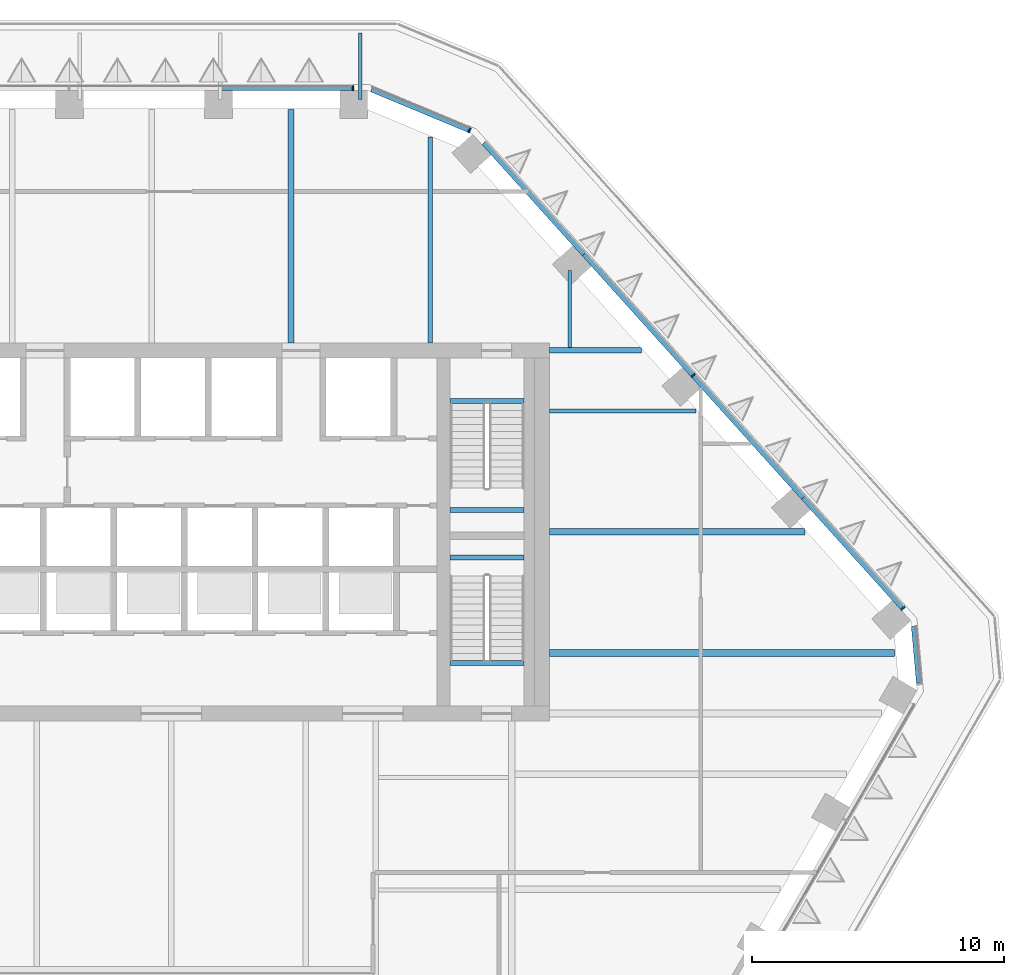
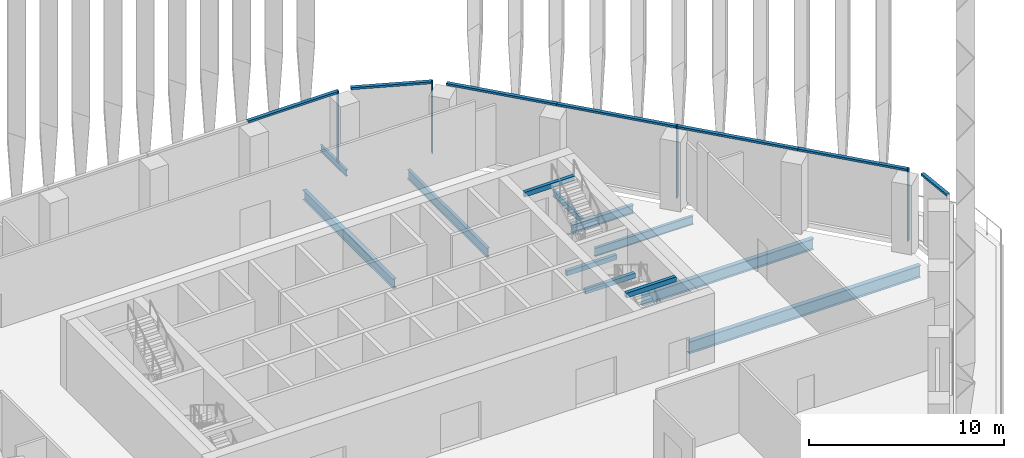
# One storey, part 7 of 21: 12 beams, 11 members, 4 elements without a shape of their own.
"""IFC4 building model written with IfcOpenShell, lengths in metres."""

import ifcopenshell
import ifcopenshell.guid

model = None  # the IFC model being written
_history = None  # IfcOwnerHistory: only IFC2X3 demands one
_inside = {}  # id of a spatial element -> (the spatial element, [elements in it])
_under = {}  # id of a project, library or spatial element -> (it, [spatial elements below it])
_declared = {}  # id of a project -> (the project, [libraries it declares])
_typed = {}  # id of a type object -> (the type object, [elements of that type])
_made_of = {}  # id of a material, layer set ... -> (it, [elements and type objects made of it])


def new_model(schema):
    """Start an empty IFC model of exactly this schema.

    Asked for "IFC4X3", IfcOpenShell would pick the latest addendum, in which some entities
    have other attributes; the version numbers below select the first issue.
    IFC2X3 requires an IfcOwnerHistory on every rooted entity: one is made here for all.
    """
    global model, _history
    if schema == "IFC4X3":
        model = ifcopenshell.file(schema_version=(4, 3, 0, 0))
    else:
        model = ifcopenshell.file(schema=schema)
    _inside.clear()
    _under.clear()
    _declared.clear()
    _typed.clear()
    _made_of.clear()
    _history = None
    if model.schema == "IFC2X3":
        org = make("IfcOrganization", Name="unknown")
        user = make(
            "IfcPersonAndOrganization",
            ThePerson=make("IfcPerson", FamilyName="unknown"),
            TheOrganization=org,
        )
        app = make(
            "IfcApplication",
            ApplicationDeveloper=org,
            Version="unknown",
            ApplicationFullName="unknown",
            ApplicationIdentifier="unknown",
        )
        _history = make(
            "IfcOwnerHistory",
            OwningUser=user,
            OwningApplication=app,
            ChangeAction="ADDED",
            CreationDate=0,
        )
    return model


def make(cls, **values):
    """One entity of the class cls with the attributes given. An attribute that is None is left unset."""
    return model.create_entity(
        cls, **{name: value for name, value in values.items() if value is not None}
    )


def rooted(cls, **values):
    """An entity with a GlobalId (a new one), such as an element, a storey or a relation."""
    return make(cls, GlobalId=ifcopenshell.guid.new(), OwnerHistory=_history, **values)


def si_unit(unit_type, name, prefix=None):
    """IfcSIUnit, for example si_unit("LENGTHUNIT", "METRE", prefix="MILLI")."""
    return make("IfcSIUnit", UnitType=unit_type, Prefix=prefix, Name=name)


def assignment(units):
    """IfcUnitAssignment: the units of a project."""
    return None if units is None else make("IfcUnitAssignment", Units=units)


def point(xyz):
    """IfcCartesianPoint."""
    return None if xyz is None else make("IfcCartesianPoint", Coordinates=xyz)


def direction(xyz):
    """IfcDirection."""
    return None if xyz is None else make("IfcDirection", DirectionRatios=xyz)


def frame(location, z_axis=None, x_axis=None):
    """IfcAxis2Placement3D, a coordinate frame: its origin and axes. An axis left out is left unset."""
    return make(
        "IfcAxis2Placement3D",
        Location=point(location),
        Axis=direction(z_axis),
        RefDirection=direction(x_axis),
    )


def frame_2d(location, x_axis=None):
    """IfcAxis2Placement2D, a coordinate frame in the plane: its origin and x axis."""
    return make(
        "IfcAxis2Placement2D", Location=point(location), RefDirection=direction(x_axis)
    )


def origin():
    """The frame at (0, 0, 0) with its axes left unset."""
    return frame((0.0, 0.0, 0.0))


def origin_2d():
    """The frame at (0, 0) in the plane with its x axis left unset."""
    return frame_2d((0.0, 0.0))


def place(relative_to, where):
    """IfcLocalPlacement: puts the frame where relative to a parent placement (None: the world)."""
    return make(
        "IfcLocalPlacement", PlacementRelTo=relative_to, RelativePlacement=where
    )


def context(
    kind, dimensions, precision=None, world=None, true_north=None, identifier=None
):
    """IfcGeometricRepresentationContext, for example the 3D "Model" context."""
    return make(
        "IfcGeometricRepresentationContext",
        ContextIdentifier=identifier,
        ContextType=kind,
        CoordinateSpaceDimension=dimensions,
        Precision=precision,
        WorldCoordinateSystem=world,
        TrueNorth=true_north,
    )


def subcontext(parent, identifier, kind, view, scale=None):
    """IfcGeometricRepresentationSubContext, for example "Body" below "Model"."""
    return make(
        "IfcGeometricRepresentationSubContext",
        ContextIdentifier=identifier,
        ContextType=kind,
        ParentContext=parent,
        TargetScale=scale,
        TargetView=view,
    )


def project(units=None, contexts=None):
    """IfcProject with its units and contexts."""
    return rooted(
        "IfcProject",
        Name="project",
        RepresentationContexts=contexts,
        UnitsInContext=assignment(units),
    )


def spatial(cls, under=None, at=None, **own):
    """A site, building, storey or space (cls), placed at a placement, below another one or the project."""
    s = rooted(cls, ObjectPlacement=at, **own)
    if under is not None:
        _under.setdefault(under.id(), (under, []))[1].append(s)
    return s


def profile(cls, at=None, kind="AREA", **sizes):
    """A parametric profile (cls). Its sizes go by their IFC names, for example OverallWidth=200.0."""
    return make(cls, ProfileType=kind, Position=at, **sizes)


def rectangle(**sizes):
    """IfcRectangleProfileDef."""
    return profile("IfcRectangleProfileDef", **sizes)


def i_section(**sizes):
    """IfcIShapeProfileDef."""
    return profile("IfcIShapeProfileDef", **sizes)


def extrude(swept, where, along, depth):
    """IfcExtrudedAreaSolid: the profile swept, set in the frame where, extruded along a direction by depth."""
    return make(
        "IfcExtrudedAreaSolid",
        SweptArea=swept,
        Position=where,
        ExtrudedDirection=direction(along),
        Depth=depth,
    )


def shape(context_of_items, identifier, shape_type, items):
    """IfcShapeRepresentation: the items that make up one representation, for example the "Body"."""
    return make(
        "IfcShapeRepresentation",
        ContextOfItems=context_of_items,
        RepresentationIdentifier=identifier,
        RepresentationType=shape_type,
        Items=items,
    )


def material(Name=None, Category=None):
    """IfcMaterial."""
    return make("IfcMaterial", Name=Name, Category=Category)


def layer(
    of_material, thickness, ventilated=None, Name=None, Category=None, Priority=None
):
    """IfcMaterialLayer: one layer of a wall or slab, of a material (None: an air gap)."""
    return make(
        "IfcMaterialLayer",
        Material=of_material,
        LayerThickness=thickness,
        IsVentilated=ventilated,
        Name=Name,
        Category=Category,
        Priority=Priority,
    )


def layer_set(layers, Name=None):
    """IfcMaterialLayerSet."""
    return make("IfcMaterialLayerSet", MaterialLayers=layers, LayerSetName=Name)


def material_profile(
    of_material, cross_section, Name=None, Category=None, Priority=None
):
    """IfcMaterialProfile: a cross section and its material."""
    return make(
        "IfcMaterialProfile",
        Name=Name,
        Material=of_material,
        Profile=cross_section,
        Priority=Priority,
        Category=Category,
    )


def profile_set(profiles, Name=None, composite=None):
    """IfcMaterialProfileSet."""
    return make(
        "IfcMaterialProfileSet",
        Name=Name,
        MaterialProfiles=profiles,
        CompositeProfile=composite,
    )


def made_of(thing, what):
    """Note that an element or type object is made of a material, layer set ...; save() writes the relation."""
    if what is not None:
        _made_of.setdefault(what.id(), (what, []))[1].append(thing)
    return thing


def type_object(cls, material=None, **own):
    """A type object (cls), such as IfcWallType, which elements share."""
    return made_of(rooted(cls, **own), material)


def element(
    cls,
    number,
    at=None,
    inside=None,
    cuts=None,
    type_object=None,
    material=None,
    context=None,
    identifier="Body",
    shape_type=None,
    held_by="IfcProductDefinitionShape",
    body=None,
    shapes=None,
    **own,
):
    """One element of the class cls, such as IfcWall. Its Tag is "e" and its number.

    at: its placement. inside: the storey or other place that contains it. cuts: it is an
    opening in that element (IfcRelVoidsElement). A single representation is given by context,
    identifier, shape_type and body (its items); several are given by shapes. held_by: the class
    of the entity that holds the representations. save() writes the other relations.
    """
    e = rooted(cls, Tag="e%d" % number, ObjectPlacement=at, **own)
    if body is not None:
        shapes = [shape(context, identifier, shape_type, body)]
    if shapes is not None:
        e.Representation = make(held_by, Representations=shapes)
    if inside is not None:
        _inside.setdefault(inside.id(), (inside, []))[1].append(e)
    if cuts is not None:
        rooted(
            "IfcRelVoidsElement", RelatingBuildingElement=cuts, RelatedOpeningElement=e
        )
    if type_object is not None:
        _typed.setdefault(type_object.id(), (type_object, []))[1].append(e)
    return made_of(e, material)


def aggregate(whole, parts):
    """IfcRelAggregates: a whole, such as a stair, and the parts it consists of."""
    return rooted("IfcRelAggregates", RelatingObject=whole, RelatedObjects=parts)


def save(model, path):
    """Write the relations noted so far, then the file.

    IfcRelAggregates (storeys below a building ...), IfcRelContainedInSpatialStructure (elements
    in a storey), IfcRelDefinesByType, IfcRelAssociatesMaterial and IfcRelDeclares: one each for
    every whole, place, type object, material and project.
    """
    for whole, parts in _under.values():
        aggregate(whole, parts)
    for where, things in _inside.values():
        rooted(
            "IfcRelContainedInSpatialStructure",
            RelatedElements=things,
            RelatingStructure=where,
        )
    for kind, things in _typed.values():
        rooted("IfcRelDefinesByType", RelatedObjects=things, RelatingType=kind)
    for what, things in _made_of.values():
        rooted("IfcRelAssociatesMaterial", RelatedObjects=things, RelatingMaterial=what)
    for by, libraries in _declared.values():
        rooted("IfcRelDeclares", RelatingContext=by, RelatedDefinitions=libraries)
    model.write(path)


model = new_model("IFC4")

# Units and contexts
model_context = context("Model", 3, precision=1e-05, world=origin(), true_north=direction((0.0, 1.0)))
body_context = subcontext(model_context, "Body", "Model", "MODEL_VIEW")
ifc_project = project(units=[si_unit("LENGTHUNIT", "METRE"), si_unit("AREAUNIT", "SQUARE_METRE"), si_unit("VOLUMEUNIT", "CUBIC_METRE"), si_unit("PLANEANGLEUNIT", "RADIAN"), si_unit("MASSUNIT", "GRAM", prefix="KILO")], contexts=[model_context])

# Site, building, storey
site_placement = place(None, origin())
site = spatial("IfcSite", under=ifc_project, at=site_placement, CompositionType="ELEMENT")
building_placement = place(site_placement, origin())
building = spatial("IfcBuilding", under=site, at=building_placement, Name="Isthmus Gate Tower", CompositionType="ELEMENT")
storey_placement = place(building_placement, frame((0.0, 0.0, 211.800048828125)))
storey = spatial("IfcBuildingStorey", under=building, at=storey_placement, Name="L53", CompositionType="ELEMENT", Elevation=211.800048828125)

# Curtain wall, member
ifc_material_1 = material(Name="Aluminium, pale champagne anodised", Category="aluminium")
ifc_layer = layer(ifc_material_1, 0.199951171875)
ifc_layer_set = layer_set([ifc_layer], Name="CW-1 UNITISED CURTAIN WALL 200 DEEP")
curtain_wall_type = type_object("IfcCurtainWallType", Name="CW-1 UNITISED CURTAIN WALL 200 DEEP", PredefinedType="NOTDEFINED", material=ifc_layer_set)
curtain_wall_1_placement = place(storey_placement, origin())
curtain_wall_1 = element("IfcCurtainWall", 1, at=curtain_wall_1_placement, inside=storey, type_object=curtain_wall_type, Name="CW-1 N L53", PredefinedType="NOTDEFINED")
ifc_material_2 = material(Name="Aluminium, pale champagne anodised", Category="aluminium")
ifc_material_profile_1 = material_profile(ifc_material_2, rectangle(XDim=0.06005859375, YDim=0.199951171875, at=origin_2d()), Name="60x200")
ifc_profile_set_1 = profile_set([ifc_material_profile_1], Name="Aluminium, pale champagne anodised")
member_type_1 = type_object("IfcMemberType", Name="CW-1 MULLION 60 X 200", PredefinedType="MULLION", material=ifc_profile_set_1)
member_1_placement = place(storey_placement, frame((7.211181640625, 25.10009765625, 0.0), z_axis=(0.0, 0.0, 1.0), x_axis=(-1.0, 0.0, 0.0)))
member_1 = element("IfcMember", 2, at=member_1_placement, type_object=member_type_1, Name="CW-1 mullion", PredefinedType="MULLION", context=body_context, shape_type="SweptSolid", body=[
    extrude(rectangle(XDim=0.06005859375, YDim=0.199951171875, at=origin_2d()), origin(), (0.0, 0.0, 1.0), 4.5),
])

# Curtain wall, members
curtain_wall_2_placement = place(storey_placement, origin())
curtain_wall_2 = element("IfcCurtainWall", 3, at=curtain_wall_2_placement, inside=storey, type_object=curtain_wall_type, Name="CW-1 NE L53", PredefinedType="NOTDEFINED")
member_2_placement = place(storey_placement, frame((29.016357421875, 4.46923828125, 0.0), z_axis=(0.0, 0.0, 1.0), x_axis=(-0.669130606359, 0.743144825477, 0.0)))
member_2 = element("IfcMember", 4, at=member_2_placement, type_object=member_type_1, Name="CW-1 mullion", PredefinedType="MULLION", context=body_context, shape_type="SweptSolid", body=[
    extrude(rectangle(XDim=0.06005859375, YDim=0.199951171875, at=origin_2d()), origin(), (0.0, 0.0, 1.0), 4.5),
])
member_3_placement = place(storey_placement, frame((20.696533203125, 13.709228515625, 0.0), z_axis=(0.0, 0.0, 1.0), x_axis=(-0.669130606359, 0.743144825477, 0.0)))
member_3 = element("IfcMember", 5, at=member_3_placement, type_object=member_type_1, Name="CW-1 mullion", PredefinedType="MULLION", context=body_context, shape_type="SweptSolid", body=[
    extrude(rectangle(XDim=0.06005859375, YDim=0.199951171875, at=origin_2d()), origin(), (0.0, 0.0, 1.0), 4.5),
])

# Curtain wall, member
curtain_wall_3_placement = place(storey_placement, origin())
curtain_wall_3 = element("IfcCurtainWall", 6, at=curtain_wall_3_placement, inside=storey, type_object=curtain_wall_type, Name="CW-1 NE-N L53", PredefinedType="NOTDEFINED")
member_4_placement = place(storey_placement, frame((11.83349609375, 23.427490234375, 0.0), z_axis=(0.0, 0.0, 1.0), x_axis=(-0.923353128387, 0.383951820282, 0.0)))
member_4 = element("IfcMember", 7, at=member_4_placement, type_object=member_type_1, Name="CW-1 mullion", PredefinedType="MULLION", context=body_context, shape_type="SweptSolid", body=[
    extrude(rectangle(XDim=0.06005859375, YDim=0.199951171875, at=origin_2d()), origin(), (0.0, 0.0, 1.0), 4.5),
])

# Member
ifc_material_3 = material(Name="Aluminium, pale champagne anodised", Category="aluminium")
ifc_material_profile_2 = material_profile(ifc_material_3, rectangle(XDim=0.199951171875, YDim=0.1298828125, at=origin_2d()), Name="200x130")
ifc_profile_set_2 = profile_set([ifc_material_profile_2], Name="Aluminium, pale champagne anodised")
member_type_2 = type_object("IfcMemberType", Name="CW-1 TRANSOM 200 X 130", PredefinedType="USERDEFINED", material=ifc_profile_set_2)
member_5_placement = place(storey_placement, frame((7.18115234375, 25.10009765625, 4.43505859375), z_axis=(-1.0, 0.0, 0.0), x_axis=(0.0, -1.0, 0.0)))
member_5 = element("IfcMember", 8, at=member_5_placement, type_object=member_type_2, Name="CW-1 transom", ObjectType="TRANSOM", PredefinedType="USERDEFINED", context=body_context, shape_type="SweptSolid", body=[
    extrude(rectangle(XDim=0.199951171875, YDim=0.1298828125, at=origin_2d()), origin(), (0.0, 0.0, 1.0), 5.300537109375),
])

aggregate(curtain_wall_1, [member_1, member_5])

# Curtain wall, member
curtain_wall_4_placement = place(storey_placement, origin())
curtain_wall_4 = element("IfcCurtainWall", 9, at=curtain_wall_4_placement, inside=storey, type_object=curtain_wall_type, Name="CW-1 SE-NE L53", PredefinedType="NOTDEFINED")
member_6_placement = place(storey_placement, frame((29.651611328125, 1.506591796875, 4.43505859375), z_axis=(-0.089395362867, 0.995996219419, 0.0), x_axis=(-0.995996219419, -0.089395362867, 0.0)))
member_6 = element("IfcMember", 10, at=member_6_placement, type_object=member_type_2, Name="CW-1 transom", ObjectType="TRANSOM", PredefinedType="USERDEFINED", context=body_context, shape_type="SweptSolid", body=[
    extrude(rectangle(XDim=0.199951171875, YDim=0.1298828125, at=origin_2d()), origin(), (0.0, 0.0, 1.0), 2.258544921875),
])
aggregate(curtain_wall_4, [member_6])

# Member
member_7_placement = place(storey_placement, frame((28.99609375, 4.491455078125, 4.43505859375), z_axis=(-0.669134411332, 0.743141399447, 0.0), x_axis=(-0.743141399447, -0.669134411332, 0.0)))
member_7 = element("IfcMember", 11, at=member_7_placement, type_object=member_type_2, Name="CW-1 transom", ObjectType="TRANSOM", PredefinedType="USERDEFINED", context=body_context, shape_type="SweptSolid", body=[
    extrude(rectangle(XDim=0.199951171875, YDim=0.1298828125, at=origin_2d()), origin(), (0.0, 0.0, 1.0), 5.8818359375),
])

member_8_placement = place(storey_placement, frame((25.060302734375, 8.862548828125, 4.43505859375), z_axis=(-0.669112239491, 0.743161362668, 0.0), x_axis=(-0.743161362668, -0.669112239491, 0.0)))
member_8 = element("IfcMember", 12, at=member_8_placement, type_object=member_type_2, Name="CW-1 transom", ObjectType="TRANSOM", PredefinedType="USERDEFINED", context=body_context, shape_type="SweptSolid", body=[
    extrude(rectangle(XDim=0.199951171875, YDim=0.1298828125, at=origin_2d()), origin(), (0.0, 0.0, 1.0), 6.49169921875),
])

member_9_placement = place(storey_placement, frame((20.67626953125, 13.7314453125, 4.43505859375), z_axis=(-0.669128292476, 0.7431469089, 0.0), x_axis=(-0.7431469089, -0.669128292476, 0.0)))
member_9 = element("IfcMember", 13, at=member_9_placement, type_object=member_type_2, Name="CW-1 transom", ObjectType="TRANSOM", PredefinedType="USERDEFINED", context=body_context, shape_type="SweptSolid", body=[
    extrude(rectangle(XDim=0.199951171875, YDim=0.1298828125, at=origin_2d()), origin(), (0.0, 0.0, 1.0), 6.431884765625),
])

member_10_placement = place(storey_placement, frame((16.37255859375, 18.51123046875, 4.43505859375), z_axis=(-0.669116811031, 0.743157246615, 0.0), x_axis=(-0.743157246615, -0.669116811031, 0.0)))
member_10 = element("IfcMember", 14, at=member_10_placement, type_object=member_type_2, Name="CW-1 transom", ObjectType="TRANSOM", PredefinedType="USERDEFINED", context=body_context, shape_type="SweptSolid", body=[
    extrude(rectangle(XDim=0.199951171875, YDim=0.1298828125, at=origin_2d()), origin(), (0.0, 0.0, 1.0), 5.94189453125),
])

aggregate(curtain_wall_2, [member_2, member_7, member_8, member_3, member_9, member_10])

member_11_placement = place(storey_placement, frame((11.8056640625, 23.43896484375, 4.43505859375), z_axis=(-0.923358236369, 0.383939536033, 0.0), x_axis=(-0.383939536033, -0.923358236369, 0.0)))
member_11 = element("IfcMember", 15, at=member_11_placement, type_object=member_type_2, Name="CW-1 transom", ObjectType="TRANSOM", PredefinedType="USERDEFINED", context=body_context, shape_type="SweptSolid", body=[
    extrude(rectangle(XDim=0.199951171875, YDim=0.1298828125, at=origin_2d()), origin(), (0.0, 0.0, 1.0), 4.181640625),
])

aggregate(curtain_wall_3, [member_4, member_11])

# Beams
ifc_material_4 = material(Name="Concrete f'c 40 MPa", Category="concrete")
ifc_material_profile_3 = material_profile(ifc_material_4, rectangle(XDim=0.199951171875, YDim=0.300048828125, at=origin_2d()), Name="STAIR LANDING BEAM RC 200 X 300")
ifc_profile_set_3 = profile_set([ifc_material_profile_3], Name="Concrete f'c 40 MPa")
beam_type_1 = type_object("IfcBeamType", Name="STAIR LANDING BEAM RC 200 X 300", PredefinedType="BEAM", material=ifc_profile_set_3)
for number, where, z_axis, x_axis, name in (
    (16, (11.050048828125, 8.3701171875, 1.89990234375), (1.0, 0.0, 0.0), (0.0, 1.0, 0.0), "L53 ST2 landing beam 1"),
    (17, (11.050048828125, 12.7001953125, 4.199951171875), (1.0, 0.0, 0.0), (0.0, 1.0, 0.0), "L53 ST2 floor-edge seat beam"),
    (18, (11.050048828125, 6.47998046875, 1.89990234375), (1.0, 0.0, 0.0), (0.0, 1.0, 0.0), "L53 ST8 landing beam 1"),
    (19, (11.050048828125, 2.2998046875, 4.199951171875), (1.0, 0.0, 0.0), (0.0, 1.0, 0.0), "L53 ST8 floor-edge seat beam"),
):
    element("IfcBeam", number, at=place(storey_placement, frame(where, z_axis=z_axis, x_axis=x_axis)), inside=storey, type_object=beam_type_1, Name=name, PredefinedType="BEAM", context=body_context, shape_type="SweptSolid", body=[
        extrude(rectangle(XDim=0.199951171875, YDim=0.300048828125, at=origin_2d()), origin(), (0.0, 0.0, 1.0), 2.949951171875),
    ])
ifc_material_5 = material(Name="Structural steel ASTM A992 Gr 50", Category="steel")
ifc_material_profile_4 = material_profile(ifc_material_5, i_section(OverallWidth=0.1396484375, OverallDepth=0.4033203125, WebThickness=0.00634765625, FlangeThickness=0.010986328125, at=origin_2d()), Name="W16X31")
ifc_profile_set_4 = profile_set([ifc_material_profile_4], Name="Structural steel ASTM A992 Gr 50")
beam_type_2 = type_object("IfcBeamType", Name="STEEL FLOOR BEAM W16X31", PredefinedType="JOIST", material=ifc_profile_set_4)
beam_1_placement = place(storey_placement, frame((15.799560546875, 14.8046875, -0.501708984375), z_axis=(0.0, 1.0, 0.0), x_axis=(-1.0, 0.0, 0.0)))
element("IfcBeam", 20, at=beam_1_placement, inside=storey, type_object=beam_type_2, Name="str-beam-L53-05-06", PredefinedType="JOIST", context=body_context, shape_type="SweptSolid", body=[
    extrude(i_section(OverallWidth=0.1396484375, OverallDepth=0.4033203125, WebThickness=0.00634765625, FlangeThickness=0.010986328125, at=origin_2d()), origin(), (0.0, 0.0, 1.0), 3.06787109375),
])
ifc_material_6 = material(Name="Structural steel ASTM A992 Gr 50", Category="steel")
ifc_material_profile_5 = material_profile(ifc_material_6, i_section(OverallWidth=0.1650390625, OverallDepth=0.52392578125, WebThickness=0.009521484375, FlangeThickness=0.010986328125, at=origin_2d()), Name="W21X44")
ifc_profile_set_5 = profile_set([ifc_material_profile_5], Name="Structural steel ASTM A992 Gr 50")
beam_type_3 = type_object("IfcBeamType", Name="STEEL FLOOR BEAM W21X44", PredefinedType="JOIST", material=ifc_profile_set_5)
beam_2_placement = place(storey_placement, frame((15.0, 12.300048828125, -0.56201171875), z_axis=(1.0, 0.0, 0.0), x_axis=(0.0, 1.0, 0.0)))
element("IfcBeam", 21, at=beam_2_placement, inside=storey, type_object=beam_type_3, Name="str-beam-L53-13-02", PredefinedType="JOIST", context=body_context, shape_type="SweptSolid", body=[
    extrude(i_section(OverallWidth=0.1650390625, OverallDepth=0.52392578125, WebThickness=0.009521484375, FlangeThickness=0.010986328125, at=origin_2d()), origin(), (0.0, 0.0, 1.0), 5.817138671875),
])
ifc_material_7 = material(Name="Structural steel ASTM A992 Gr 50", Category="steel")
ifc_material_profile_6 = material_profile(ifc_material_7, i_section(OverallWidth=0.177734375, OverallDepth=0.60009765625, WebThickness=0.009521484375, FlangeThickness=0.0126953125, at=origin_2d()), Name="W24X55")
ifc_profile_set_6 = profile_set([ifc_material_profile_6], Name="Structural steel ASTM A992 Gr 50")
beam_type_4 = type_object("IfcBeamType", Name="STEEL FLOOR BEAM W24X55", PredefinedType="JOIST", material=ifc_profile_set_6)
beam_3_placement = place(storey_placement, frame((10.275146484375, 15.0, -0.60009765625), z_axis=(0.0, 1.0, 0.0), x_axis=(-1.0, 0.0, 0.0)))
element("IfcBeam", 22, at=beam_3_placement, inside=storey, type_object=beam_type_4, Name="str-beam-L53-05-05", PredefinedType="JOIST", context=body_context, shape_type="SweptSolid", body=[
    extrude(i_section(OverallWidth=0.177734375, OverallDepth=0.60009765625, WebThickness=0.009521484375, FlangeThickness=0.0126953125, at=origin_2d()), origin(), (0.0, 0.0, 1.0), 8.1513671875),
])
ifc_material_8 = material(Name="Structural steel ASTM A992 Gr 50", Category="steel")
ifc_material_profile_7 = material_profile(ifc_material_8, i_section(OverallWidth=0.228515625, OverallDepth=0.603271484375, WebThickness=0.010986328125, FlangeThickness=0.014404296875, at=origin_2d()), Name="W24X68")
ifc_profile_set_7 = profile_set([ifc_material_profile_7], Name="Structural steel ASTM A992 Gr 50")
beam_type_5 = type_object("IfcBeamType", Name="STEEL FLOOR BEAM W24X68", PredefinedType="JOIST", material=ifc_profile_set_7)
beam_4_placement = place(storey_placement, frame((4.75048828125, 15.0, -0.6015625), z_axis=(0.0, 1.0, 0.0), x_axis=(-1.0, 0.0, 0.0)))
element("IfcBeam", 23, at=beam_4_placement, inside=storey, type_object=beam_type_5, Name="str-beam-L53-05-04", PredefinedType="JOIST", context=body_context, shape_type="SweptSolid", body=[
    extrude(i_section(OverallWidth=0.228515625, OverallDepth=0.603271484375, WebThickness=0.010986328125, FlangeThickness=0.014404296875, at=origin_2d()), origin(), (0.0, 0.0, 1.0), 9.246826171875),
])
ifc_material_9 = material(Name="Structural steel ASTM A992 Gr 50", Category="steel")
ifc_material_profile_8 = material_profile(ifc_material_9, i_section(OverallWidth=0.25390625, OverallDepth=0.679443359375, WebThickness=0.010986328125, FlangeThickness=0.015869140625, at=origin_2d()), Name="W27X84")
ifc_profile_set_8 = profile_set([ifc_material_profile_8], Name="Structural steel ASTM A992 Gr 50")
beam_type_6 = type_object("IfcBeamType", Name="STEEL FLOOR BEAM W27X84", PredefinedType="JOIST", material=ifc_profile_set_8)
beam_5_placement = place(storey_placement, frame((15.0, 7.5, -0.6396484375), z_axis=(1.0, 0.0, 0.0), x_axis=(0.0, 1.0, 0.0)))
element("IfcBeam", 24, at=beam_5_placement, inside=storey, type_object=beam_type_6, Name="str-beam-L53-13-01", PredefinedType="JOIST", context=body_context, shape_type="SweptSolid", body=[
    extrude(i_section(OverallWidth=0.25390625, OverallDepth=0.679443359375, WebThickness=0.010986328125, FlangeThickness=0.015869140625, at=origin_2d()), origin(), (0.0, 0.0, 1.0), 10.13916015625),
])
ifc_material_10 = material(Name="Structural steel ASTM A992 Gr 50", Category="steel")
ifc_material_profile_9 = material_profile(ifc_material_10, i_section(OverallWidth=0.263427734375, OverallDepth=0.749267578125, WebThickness=0.0126953125, FlangeThickness=0.015869140625, at=origin_2d()), Name="W30X90")
ifc_profile_set_9 = profile_set([ifc_material_profile_9], Name="Structural steel ASTM A992 Gr 50")
beam_type_7 = type_object("IfcBeamType", Name="STEEL FLOOR BEAM W30X90", PredefinedType="JOIST", material=ifc_profile_set_9)
beam_6_placement = place(storey_placement, frame((15.0, 2.699951171875, -0.6748046875), z_axis=(1.0, 0.0, 0.0), x_axis=(0.0, 1.0, 0.0)))
element("IfcBeam", 25, at=beam_6_placement, inside=storey, type_object=beam_type_7, Name="str-beam-L53-13-00", PredefinedType="JOIST", context=body_context, shape_type="SweptSolid", body=[
    extrude(i_section(OverallWidth=0.263427734375, OverallDepth=0.749267578125, WebThickness=0.0126953125, FlangeThickness=0.015869140625, at=origin_2d()), origin(), (0.0, 0.0, 1.0), 13.68798828125),
])
ifc_material_11 = material(Name="Structural steel ASTM A992 Gr 50", Category="steel")
ifc_material_profile_10 = material_profile(ifc_material_11, i_section(OverallWidth=0.20947265625, OverallDepth=0.533447265625, WebThickness=0.009521484375, FlangeThickness=0.015869140625, at=origin_2d()), Name="W21X62")
ifc_profile_set_10 = profile_set([ifc_material_profile_10], Name="Structural steel ASTM A992 Gr 50")
beam_type_8 = type_object("IfcBeamType", Name="STEEL GIRDER W21X62", PredefinedType="BEAM", material=ifc_profile_set_10)
beam_7_placement = place(storey_placement, frame((15.0, 14.699951171875, -0.566650390625), z_axis=(1.0, 0.0, 0.0), x_axis=(0.0, 1.0, 0.0)))
element("IfcBeam", 26, at=beam_7_placement, inside=storey, type_object=beam_type_8, Name="str-girder-L53-12", PredefinedType="BEAM", context=body_context, shape_type="SweptSolid", body=[
    extrude(i_section(OverallWidth=0.20947265625, OverallDepth=0.533447265625, WebThickness=0.009521484375, FlangeThickness=0.015869140625, at=origin_2d()), origin(), (0.0, 0.0, 1.0), 3.65625),
])
ifc_material_12 = material(Name="Structural steel ASTM A992 Gr 50", Category="steel")
ifc_material_profile_11 = material_profile(ifc_material_12, i_section(OverallWidth=0.1396484375, OverallDepth=0.4033203125, WebThickness=0.00634765625, FlangeThickness=0.010986328125, at=origin_2d()), Name="W16X31")
ifc_profile_set_11 = profile_set([ifc_material_profile_11], Name="Structural steel ASTM A992 Gr 50")
beam_type_9 = type_object("IfcBeamType", Name="STEEL LEDGE BEAM W16X31", PredefinedType="JOIST", material=ifc_profile_set_11)
beam_8_placement = place(storey_placement, frame((7.495361328125, 24.6533203125, -0.501708984375), z_axis=(0.0, 1.0, 0.0), x_axis=(-1.0, 0.0, 0.0)))
element("IfcBeam", 27, at=beam_8_placement, inside=storey, type_object=beam_type_9, Name="str-ringbeam-L53-00-13", PredefinedType="JOIST", context=body_context, shape_type="SweptSolid", body=[
    extrude(i_section(OverallWidth=0.1396484375, OverallDepth=0.4033203125, WebThickness=0.00634765625, FlangeThickness=0.010986328125, at=origin_2d()), origin(), (0.0, 0.0, 1.0), 2.635498046875),
])

save(model, "model.ifc")
